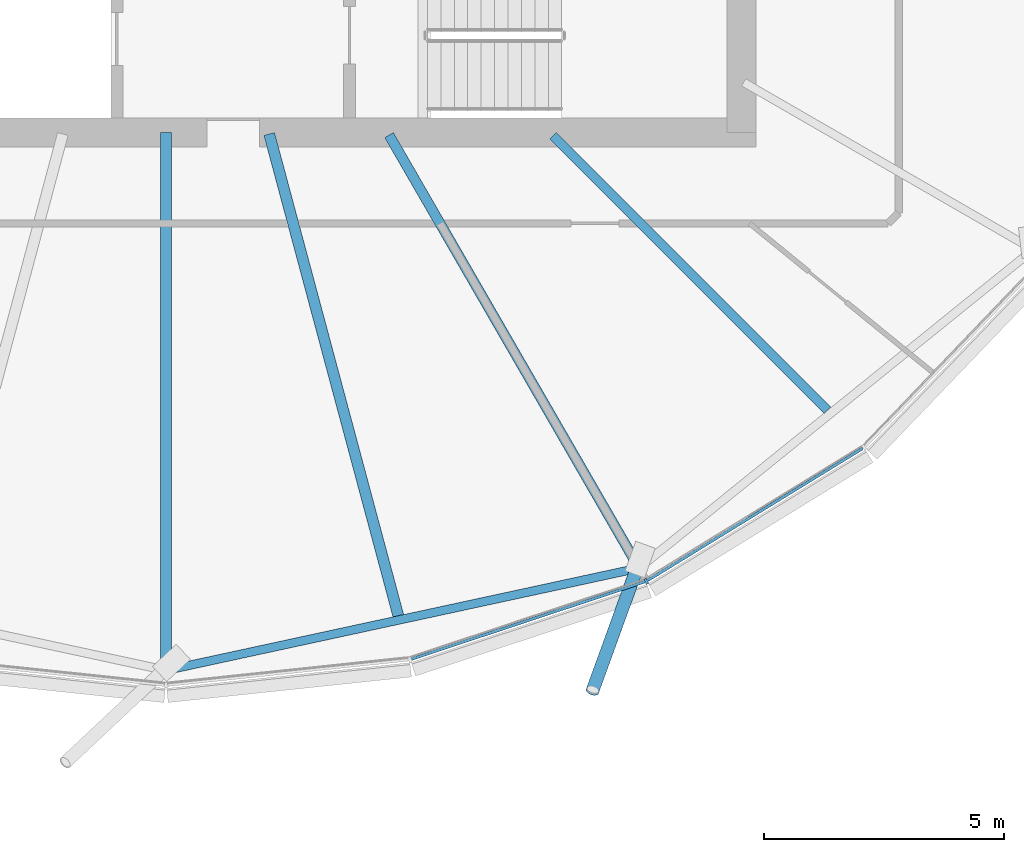
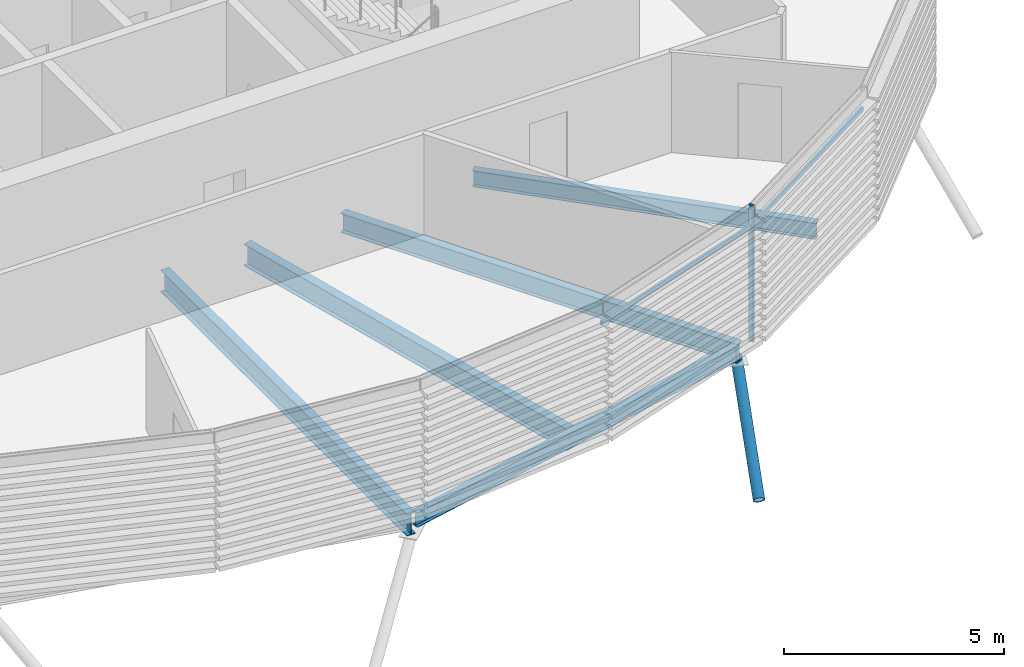
# One storey, part 4 of 36: 5 beams, 4 members, 1 element without a shape of its own.
"""IFC4 building model written with IfcOpenShell, lengths in metres."""

from ifc_helpers import new_model, si_unit, direction, frame, origin, origin_2d, place, context, subcontext, project, spatial, rectangle, hollow_circle, i_section, extrude, clip, halfspace, material, material_profile, profile_set, type_object, element, aggregate, save


model = new_model("IFC4")

# Units and contexts
model_context = context("Model", 3, precision=1e-05, world=origin(), true_north=direction((0.0, 1.0)))
body_context = subcontext(model_context, "Body", "Model", "MODEL_VIEW")
ifc_project = project(units=[si_unit("LENGTHUNIT", "METRE"), si_unit("AREAUNIT", "SQUARE_METRE"), si_unit("VOLUMEUNIT", "CUBIC_METRE"), si_unit("PLANEANGLEUNIT", "RADIAN"), si_unit("MASSUNIT", "GRAM", prefix="KILO")], contexts=[model_context])

# Site, building, storey
site_placement = place(None, origin())
site = spatial("IfcSite", under=ifc_project, at=site_placement, CompositionType="ELEMENT")
building_placement = place(site_placement, origin())
building = spatial("IfcBuilding", under=site, at=building_placement, Name="Rimbun Link Towers", CompositionType="ELEMENT")
storey_placement = place(building_placement, frame((0.0, 0.0, 189.300048828125)))
storey = spatial("IfcBuildingStorey", under=building, at=storey_placement, Name="L46", CompositionType="ELEMENT", Elevation=189.300048828125)

# Curtain wall, members
ifc_material_1 = material(Name="Aluminium 6063-T6 and low-iron glass", Category="aluminium")
curtain_wall_type = type_object("IfcCurtainWallType", Name="CW1-Z3 unitised vision wall (zone 3)", PredefinedType="NOTDEFINED", material=ifc_material_1)
curtain_wall_placement = place(storey_placement, origin())
curtain_wall = element("IfcCurtainWall", 1, at=curtain_wall_placement, inside=storey, type_object=curtain_wall_type, Name="CW1 L46 T1", PredefinedType="NOTDEFINED")
ifc_material_2 = material(Name="Aluminium 6063-T6", Category="aluminium")
ifc_material_profile_1 = material_profile(ifc_material_2, rectangle(XDim=0.1201171875, YDim=0.06005859375, at=origin_2d()), Name="MULLION 60X120")
ifc_profile_set_1 = profile_set([ifc_material_profile_1], Name="Aluminium 6063-T6")
member_type_1 = type_object("IfcMemberType", Name="CW1 mullion 60X120", PredefinedType="MULLION", material=ifc_profile_set_1)
member_1_placement = place(storey_placement, frame((-21.735595703125, -17.35595703125, 0.0), z_axis=(0.0, 0.0, 1.0), x_axis=(0.421700764408, -0.90673505794, 0.0)))
member_1 = element("IfcMember", 2, at=member_1_placement, type_object=member_type_1, Name="CW1 mullion", PredefinedType="MULLION", context=body_context, shape_type="SweptSolid", body=[
    extrude(rectangle(XDim=0.1201171875, YDim=0.06005859375, at=origin_2d()), origin(), (0.0, 0.0, 1.0), 3.800048828125),
])
ifc_material_3 = material(Name="Aluminium 6063-T6", Category="aluminium")
ifc_material_profile_2 = material_profile(ifc_material_3, rectangle(XDim=0.06005859375, YDim=0.1201171875, at=origin_2d()), Name="TRANSOM 60X120")
ifc_profile_set_2 = profile_set([ifc_material_profile_2], Name="Aluminium 6063-T6")
member_type_2 = type_object("IfcMemberType", Name="CW1 transom 60X120", PredefinedType="USERDEFINED", material=ifc_profile_set_2)
member_2_placement = place(storey_placement, frame((-21.771240234375, -17.3662109375, 3.199951171875), z_axis=(-0.949239776914, -0.31455340711, 0.0), x_axis=(0.31455340711, -0.949239776914, 0.0)))
member_2 = element("IfcMember", 3, at=member_2_placement, type_object=member_type_2, Name="CW1 transom", ObjectType="TRANSOM", PredefinedType="USERDEFINED", context=body_context, shape_type="SweptSolid", body=[
    extrude(rectangle(XDim=0.06005859375, YDim=0.1201171875, at=origin_2d()), origin(), (0.0, 0.0, 1.0), 5.119384765625),
])
member_3_placement = place(storey_placement, frame((-17.225341796875, -14.5849609375, 3.199951171875), z_axis=(-0.852190481414, -0.523231672768, 0.0), x_axis=(0.523231672768, -0.852190481414, 0.0)))
member_3 = element("IfcMember", 4, at=member_3_placement, type_object=member_type_2, Name="CW1 transom", ObjectType="TRANSOM", PredefinedType="USERDEFINED", context=body_context, shape_type="SweptSolid", body=[
    extrude(rectangle(XDim=0.06005859375, YDim=0.1201171875, at=origin_2d()), origin(), (0.0, 0.0, 1.0), 5.2568359375),
])
aggregate(curtain_wall, [member_1, member_2, member_3])

# Member
ifc_material_4 = material(Name="Steel S355J2H", Category="steel")
ifc_material_profile_3 = material_profile(ifc_material_4, hollow_circle(Radius=0.136474609375, WallThickness=0.012451171875, at=origin_2d()), Name="CHS 273x12.5")
ifc_profile_set_3 = profile_set([ifc_material_profile_3], Name="Steel S355J2H")
member_type_3 = type_object("IfcMemberType", Name="Floor edge link CHS 273x12.5", PredefinedType="BRACE", material=ifc_profile_set_3)
member_4_placement = place(storey_placement, frame((-21.91357421875, -17.037109375, -0.797119140625), z_axis=(-0.284856749415, -0.784418959211, -0.550947845756), x_axis=(0.939942080074, -0.341333980298, 0.0)))
element("IfcMember", 5, at=member_4_placement, inside=storey, type_object=member_type_3, Name="Floor edge link T1 L46 20", PredefinedType="BRACE", context=body_context, shape_type="Clipping", body=[
    clip(extrude(hollow_circle(Radius=0.136474609375, WallThickness=0.012451171875, at=origin_2d()), frame((0.0, 0.0, -0.431640625)), (0.0, 0.0, 1.0), 3.76220703125), halfspace(frame((0.0, 0.0, -0.203125), z_axis=(0.0, 0.834539676263, -0.550947845756)), False)),
])

# Beams
ifc_material_5 = material(Name="Steel S355J2", Category="steel")
ifc_material_profile_4 = material_profile(ifc_material_5, i_section(OverallWidth=0.177978515625, OverallDepth=0.406494140625, WebThickness=0.0078125, FlangeThickness=0.0126953125, at=origin_2d()), Name="UB 406x178x60")
ifc_profile_set_4 = profile_set([ifc_material_profile_4], Name="Steel S355J2")
beam_type_1 = type_object("IfcBeamType", Name="UB 406x178x60", PredefinedType="BEAM", material=ifc_profile_set_4)
beam_1_placement = place(storey_placement, frame((-31.63525390625, -19.18896484375, -0.353271484375), z_axis=(0.977392598687, 0.211432514129, 0.0), x_axis=(-0.211432514129, 0.977392598687, 0.0)))
element("IfcBeam", 6, at=beam_1_placement, inside=storey, type_object=beam_type_1, Name="Edge beam T1 L46 18-20", PredefinedType="BEAM", context=body_context, shape_type="SweptSolid", body=[
    extrude(i_section(OverallWidth=0.177978515625, OverallDepth=0.406494140625, WebThickness=0.0078125, FlangeThickness=0.0126953125, at=origin_2d()), origin(), (0.0, 0.0, 1.0), 9.861083984375),
])
ifc_material_6 = material(Name="Steel S355J2", Category="steel")
ifc_material_profile_5 = material_profile(ifc_material_6, i_section(OverallWidth=0.18994140625, OverallDepth=0.453369140625, WebThickness=0.008544921875, FlangeThickness=0.0126953125, at=origin_2d()), Name="UB 457x191x67")
ifc_profile_set_5 = profile_set([ifc_material_profile_5], Name="Steel S355J2")
beam_type_2 = type_object("IfcBeamType", Name="UB 457x191x67", PredefinedType="BEAM", material=ifc_profile_set_5)
beam_2_placement = place(storey_placement, frame((-23.68212890625, -8.06787109375, -0.376708984375), z_axis=(0.707106781187, -0.707106781187, 0.0), x_axis=(0.707106781187, 0.707106781187, 0.0)))
element("IfcBeam", 7, at=beam_2_placement, inside=storey, type_object=beam_type_2, Name="Radial beam T1 L46 21", PredefinedType="BEAM", context=body_context, shape_type="SweptSolid", body=[
    extrude(i_section(OverallWidth=0.18994140625, OverallDepth=0.453369140625, WebThickness=0.008544921875, FlangeThickness=0.0126953125, at=origin_2d()), origin(), (0.0, 0.0, 1.0), 8.094482421875),
])
ifc_material_7 = material(Name="Steel S355J2", Category="steel")
ifc_material_profile_6 = material_profile(ifc_material_7, i_section(OverallWidth=0.209228515625, OverallDepth=0.533203125, WebThickness=0.010009765625, FlangeThickness=0.015625, at=origin_2d()), Name="UB 533x210x92")
ifc_profile_set_6 = profile_set([ifc_material_profile_6], Name="Steel S355J2")
beam_type_3 = type_object("IfcBeamType", Name="UB 533x210x92", PredefinedType="BEAM", material=ifc_profile_set_6)
beam_3_placement = place(storey_placement, frame((-27.1005859375, -8.05322265625, -0.41650390625), z_axis=(0.499998180979, -0.866026453994, 0.0), x_axis=(0.866026453994, 0.499998180979, 0.0)))
element("IfcBeam", 8, at=beam_3_placement, inside=storey, type_object=beam_type_3, Name="Radial beam T1 L46 20", PredefinedType="BEAM", context=body_context, shape_type="SweptSolid", body=[
    extrude(i_section(OverallWidth=0.209228515625, OverallDepth=0.533203125, WebThickness=0.010009765625, FlangeThickness=0.015625, at=origin_2d()), origin(), (0.0, 0.0, 1.0), 10.423828125),
])
ifc_material_8 = material(Name="Steel S355J2", Category="steel")
ifc_material_profile_7 = material_profile(ifc_material_8, i_section(OverallWidth=0.2275390625, OverallDepth=0.6025390625, WebThickness=0.010498046875, FlangeThickness=0.014892578125, at=origin_2d()), Name="UB 610x229x101")
ifc_profile_set_7 = profile_set([ifc_material_profile_7], Name="Steel S355J2")
beam_type_4 = type_object("IfcBeamType", Name="UB 610x229x101", PredefinedType="BEAM", material=ifc_profile_set_7)
beam_4_placement = place(storey_placement, frame((-31.75, -8.0009765625, -0.451416015625), z_axis=(0.0, -1.0, 0.0), x_axis=(1.0, 0.0, 0.0)))
element("IfcBeam", 9, at=beam_4_placement, inside=storey, type_object=beam_type_4, Name="Radial beam T1 L46 18", PredefinedType="BEAM", context=body_context, shape_type="SweptSolid", body=[
    extrude(i_section(OverallWidth=0.2275390625, OverallDepth=0.6025390625, WebThickness=0.010498046875, FlangeThickness=0.014892578125, at=origin_2d()), origin(), (0.0, 0.0, 1.0), 11.212890625),
])
beam_5_placement = place(storey_placement, frame((-29.598388671875, -8.030517578125, -0.451416015625), z_axis=(0.258837406585, -0.965920906158, 0.0), x_axis=(0.965920906158, 0.258837406585, 0.0)))
element("IfcBeam", 10, at=beam_5_placement, inside=storey, type_object=beam_type_4, Name="Radial beam T1 L46 19", PredefinedType="BEAM", context=body_context, shape_type="SweptSolid", body=[
    extrude(i_section(OverallWidth=0.2275390625, OverallDepth=0.6025390625, WebThickness=0.010498046875, FlangeThickness=0.014892578125, at=origin_2d()), origin(), (0.0, 0.0, 1.0), 10.39794921875),
])

save(model, "model.ifc")
